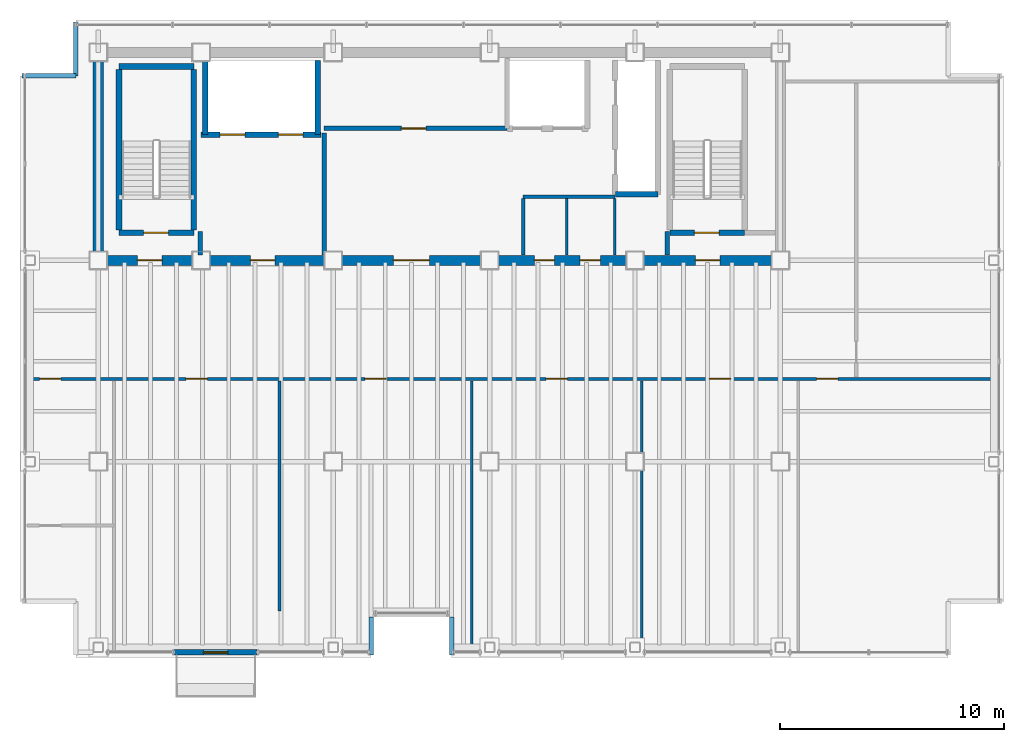
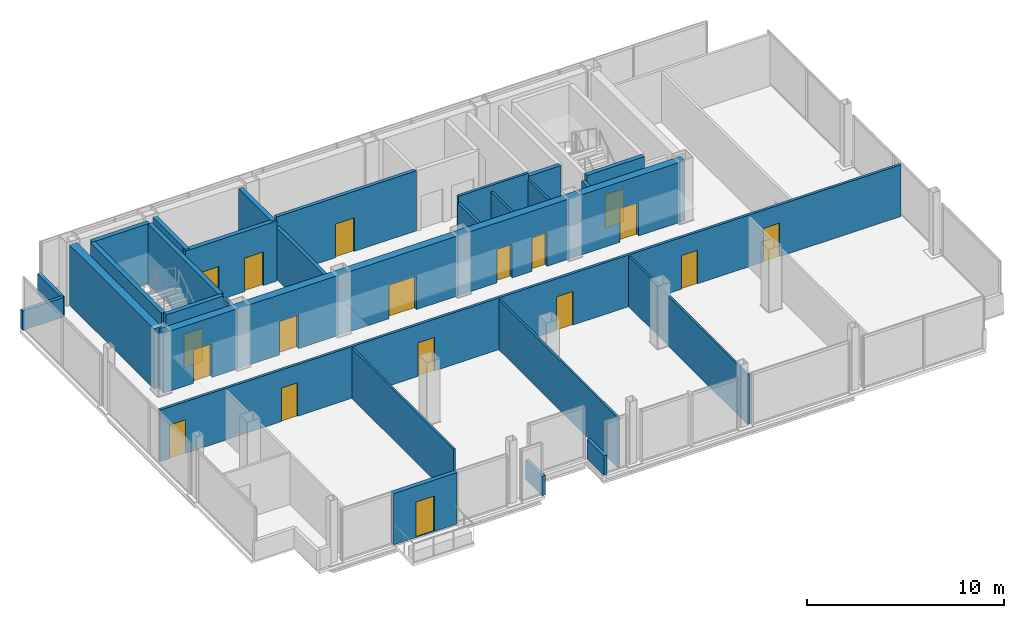
# One storey, part 13 of 15: 28 walls, 18 doors, 18 openings.
"""IFC4 building model written with IfcOpenShell, lengths in metres."""

from ifc_helpers import new_model, si_unit, direction, frame, frame_2d, origin, place, context, subcontext, project, spatial, rectangle, extrude, material, layer, layer_set, type_object, element, fill, save


model = new_model("IFC4")

# Units and contexts
model_context = context("Model", 3, precision=1e-05, world=origin(), true_north=direction((0.0, 1.0)))
body_context = subcontext(model_context, "Body", "Model", "MODEL_VIEW")
ifc_project = project(units=[si_unit("LENGTHUNIT", "METRE"), si_unit("AREAUNIT", "SQUARE_METRE"), si_unit("VOLUMEUNIT", "CUBIC_METRE"), si_unit("PLANEANGLEUNIT", "RADIAN"), si_unit("MASSUNIT", "GRAM", prefix="KILO")], contexts=[model_context])

# Site, building, storey
site_placement = place(None, origin())
site = spatial("IfcSite", under=ifc_project, at=site_placement, CompositionType="ELEMENT")
building_placement = place(site_placement, origin())
building = spatial("IfcBuilding", under=site, at=building_placement, Name="Noeulbin Bourse Tower", CompositionType="ELEMENT")
storey_placement = place(building_placement, frame((0.0, 0.0, 215.0)))
storey = spatial("IfcBuildingStorey", under=building, at=storey_placement, Name="L53", CompositionType="ELEMENT", Elevation=215.0)

# Wall, openings, doors
ifc_material_1 = material(Name="Concrete C50/60", Category="concrete")
ifc_layer_1 = layer(ifc_material_1, 0.449951171875)
ifc_layer_set_1 = layer_set([ifc_layer_1], Name="Concrete C50/60")
wall_type_1 = type_object("IfcWallType", Name="WAL-CORE-450", PredefinedType="SHEAR", material=ifc_layer_set_1)
wall_1_placement = place(storey_placement, frame((13.5, 29.0, 0.0), z_axis=(0.0, 0.0, 1.0), x_axis=(1.0, 0.0, 0.0)))
wall_1 = element("IfcWall", 1, at=wall_1_placement, inside=storey, type_object=wall_type_1, Name="Rear Core South Shear Wall L53", PredefinedType="SHEAR", context=body_context, shape_type="SweptSolid", body=[
    extrude(rectangle(XDim=30.5, YDim=0.449951171875, at=frame_2d((15.25, 0.0))), origin(), (0.0, 0.0, 1.0), 3.719970703125),
])
opening_1_placement = place(wall_1_placement, frame((1.75, 0.0, 0.0)))
opening_1 = element("IfcOpeningElement", 2, at=opening_1_placement, cuts=wall_1, Name="Opening FD-11", PredefinedType="OPENING", context=body_context, shape_type="SweptSolid", body=[
    extrude(rectangle(XDim=1.10009765625, YDim=2.080078125, at=frame_2d((0.550048828125, 1.0400390625))), frame((0.0, 0.23486328125, 0.0), z_axis=(0.0, -1.0, 0.0), x_axis=(1.0, 0.0, 0.0)), (0.0, 0.0, 1.0), 0.469970703125),
])
opening_2_placement = place(wall_1_placement, frame((26.699951171875, 0.0, 0.0)))
opening_2 = element("IfcOpeningElement", 3, at=opening_2_placement, cuts=wall_1, Name="Opening FD-11", PredefinedType="OPENING", context=body_context, shape_type="SweptSolid", body=[
    extrude(rectangle(XDim=1.10009765625, YDim=2.080078125, at=frame_2d((0.550048828125, 1.0400390625))), frame((0.0, 0.23486328125, 0.0), z_axis=(0.0, -1.0, 0.0), x_axis=(1.0, 0.0, 0.0)), (0.0, 0.0, 1.0), 0.469970703125),
])
opening_3_placement = place(wall_1_placement, frame((6.800048828125, 0.0, 0.0)))
opening_3 = element("IfcOpeningElement", 4, at=opening_3_placement, cuts=wall_1, Name="Opening FD-11", PredefinedType="OPENING", context=body_context, shape_type="SweptSolid", body=[
    extrude(rectangle(XDim=1.10009765625, YDim=2.080078125, at=frame_2d((0.550048828125, 1.0400390625))), frame((0.0, 0.23486328125, 0.0), z_axis=(0.0, -1.0, 0.0), x_axis=(1.0, 0.0, 0.0)), (0.0, 0.0, 1.0), 0.469970703125),
])
opening_4_placement = place(wall_1_placement, frame((13.199951171875, 0.0, 0.0)))
opening_4 = element("IfcOpeningElement", 5, at=opening_4_placement, cuts=wall_1, Name="Opening ID-16", PredefinedType="OPENING", context=body_context, shape_type="SweptSolid", body=[
    extrude(rectangle(XDim=1.60009765625, YDim=2.080078125, at=frame_2d((0.800048828125, 1.0400390625))), frame((0.0, 0.23486328125, 0.0), z_axis=(0.0, -1.0, 0.0), x_axis=(1.0, 0.0, 0.0)), (0.0, 0.0, 1.0), 0.469970703125),
])
opening_5_placement = place(wall_1_placement, frame((19.5, 0.0, 0.0)))
opening_5 = element("IfcOpeningElement", 6, at=opening_5_placement, cuts=wall_1, Name="Opening FD-09", PredefinedType="OPENING", context=body_context, shape_type="SweptSolid", body=[
    extrude(rectangle(XDim=0.89990234375, YDim=2.080078125, at=frame_2d((0.449951171875, 1.0400390625))), frame((0.0, 0.23486328125, 0.0), z_axis=(0.0, -1.0, 0.0), x_axis=(1.0, 0.0, 0.0)), (0.0, 0.0, 1.0), 0.469970703125),
])
opening_6_placement = place(wall_1_placement, frame((21.550048828125, 0.0, 0.0)))
opening_6 = element("IfcOpeningElement", 7, at=opening_6_placement, cuts=wall_1, Name="Opening FD-09", PredefinedType="OPENING", context=body_context, shape_type="SweptSolid", body=[
    extrude(rectangle(XDim=0.89990234375, YDim=2.080078125, at=frame_2d((0.449951171875, 1.0400390625))), frame((0.0, 0.23486328125, 0.0), z_axis=(0.0, -1.0, 0.0), x_axis=(1.0, 0.0, 0.0)), (0.0, 0.0, 1.0), 0.469970703125),
])
ifc_material_2 = material(Name="Acoustic Glazed Aluminium", Category="aluminium")
door_type_1 = type_object("IfcDoorType", Name="DR-DBL-1600", OperationType="DOUBLE_DOOR_SINGLE_SWING", PredefinedType="DOOR", material=ifc_material_2)
door_1_placement = place(opening_4_placement, origin())
door_1 = element("IfcDoor", 8, at=door_1_placement, inside=storey, type_object=door_type_1, Name="Passenger Lift Lobby Portal L53", OperationType="DOUBLE_DOOR_SINGLE_SWING", OverallHeight=2.080078125, OverallWidth=1.60009765625, PredefinedType="DOOR", context=body_context, shape_type="SweptSolid", body=[
    extrude(rectangle(XDim=1.60009765625, YDim=2.080078125, at=frame_2d((0.800048828125, 1.0400390625))), frame((0.0, 0.02490234375, 0.0), z_axis=(0.0, -1.0, 0.0), x_axis=(1.0, 0.0, 0.0)), (0.0, 0.0, 1.0), 0.050048828125),
])
fill(opening_4, door_1)
ifc_material_3 = material(Name="Fire-Rated Timber Core", Category="wood")
door_type_2 = type_object("IfcDoorType", Name="DR-FD30-900", OperationType="SINGLE_SWING_RIGHT", PredefinedType="DOOR", material=ifc_material_3)
door_2_placement = place(opening_5_placement, origin())
door_2 = element("IfcDoor", 9, at=door_2_placement, inside=storey, type_object=door_type_2, Name="Interior Door L53-06", OperationType="SINGLE_SWING_LEFT", OverallHeight=2.080078125, OverallWidth=0.89990234375, PredefinedType="DOOR", context=body_context, shape_type="SweptSolid", body=[
    extrude(rectangle(XDim=0.89990234375, YDim=2.080078125, at=frame_2d((0.449951171875, 1.0400390625))), frame((0.0, 0.02490234375, 0.0), z_axis=(0.0, -1.0, 0.0), x_axis=(1.0, 0.0, 0.0)), (0.0, 0.0, 1.0), 0.050048828125),
])
fill(opening_5, door_2)
door_3_placement = place(opening_6_placement, origin())
door_3 = element("IfcDoor", 10, at=door_3_placement, inside=storey, type_object=door_type_2, Name="Interior Door L53-07", OperationType="SINGLE_SWING_RIGHT", OverallHeight=2.080078125, OverallWidth=0.89990234375, PredefinedType="DOOR", context=body_context, shape_type="SweptSolid", body=[
    extrude(rectangle(XDim=0.89990234375, YDim=2.080078125, at=frame_2d((0.449951171875, 1.0400390625))), frame((0.0, 0.02490234375, 0.0), z_axis=(0.0, -1.0, 0.0), x_axis=(1.0, 0.0, 0.0)), (0.0, 0.0, 1.0), 0.050048828125),
])
fill(opening_6, door_3)
ifc_material_4 = material(Name="Fire-Rated Insulated Steel", Category="steel")
door_type_3 = type_object("IfcDoorType", Name="DR-FD60-1100", OperationType="SINGLE_SWING_LEFT", PredefinedType="DOOR", material=ifc_material_4)
door_4_placement = place(opening_1_placement, origin())
door_4 = element("IfcDoor", 11, at=door_4_placement, inside=storey, type_object=door_type_3, Name="West Stair Lobby Door L53", OperationType="SINGLE_SWING_RIGHT", OverallHeight=2.080078125, OverallWidth=1.10009765625, PredefinedType="DOOR", context=body_context, shape_type="SweptSolid", body=[
    extrude(rectangle(XDim=1.10009765625, YDim=2.080078125, at=frame_2d((0.550048828125, 1.0400390625))), frame((0.0, 0.02490234375, 0.0), z_axis=(0.0, -1.0, 0.0), x_axis=(1.0, 0.0, 0.0)), (0.0, 0.0, 1.0), 0.050048828125),
])
fill(opening_1, door_4)
door_5_placement = place(opening_2_placement, origin())
door_5 = element("IfcDoor", 12, at=door_5_placement, inside=storey, type_object=door_type_3, Name="East Stair Lobby Door L53", OperationType="SINGLE_SWING_LEFT", OverallHeight=2.080078125, OverallWidth=1.10009765625, PredefinedType="DOOR", context=body_context, shape_type="SweptSolid", body=[
    extrude(rectangle(XDim=1.10009765625, YDim=2.080078125, at=frame_2d((0.550048828125, 1.0400390625))), frame((0.0, 0.02490234375, 0.0), z_axis=(0.0, -1.0, 0.0), x_axis=(1.0, 0.0, 0.0)), (0.0, 0.0, 1.0), 0.050048828125),
])
fill(opening_2, door_5)
door_6_placement = place(opening_3_placement, origin())
door_6 = element("IfcDoor", 13, at=door_6_placement, inside=storey, type_object=door_type_3, Name="Firefighting Lobby Door L53", OperationType="SINGLE_SWING_RIGHT", OverallHeight=2.080078125, OverallWidth=1.10009765625, PredefinedType="DOOR", context=body_context, shape_type="SweptSolid", body=[
    extrude(rectangle(XDim=1.10009765625, YDim=2.080078125, at=frame_2d((0.550048828125, 1.0400390625))), frame((0.0, 0.02490234375, 0.0), z_axis=(0.0, -1.0, 0.0), x_axis=(1.0, 0.0, 0.0)), (0.0, 0.0, 1.0), 0.050048828125),
])
fill(opening_3, door_6)

# Wall
wall_2_placement = place(storey_placement, frame((13.5, 29.35009765625, 0.0), z_axis=(0.0, 0.0, 1.0), x_axis=(0.0, 1.0, 0.0)))
element("IfcWall", 14, at=wall_2_placement, inside=storey, type_object=wall_type_1, Name="Rear Core West Shear Wall L53", PredefinedType="SHEAR", context=body_context, shape_type="SweptSolid", body=[
    extrude(rectangle(XDim=8.599853515625, YDim=0.449951171875, at=frame_2d((4.2998046875, 0.0))), origin(), (0.0, 0.0, 1.0), 3.719970703125),
])

# Wall, opening, door
ifc_material_5 = material(Name="Precast Concrete C40/50", Category="concrete")
ifc_layer_2 = layer(ifc_material_5, 0.25)
ifc_layer_set_2 = layer_set([ifc_layer_2], Name="Precast Concrete C40/50")
wall_type_2 = type_object("IfcWallType", Name="WAL-EXT-250", PredefinedType="STANDARD", material=ifc_layer_set_2)
wall_3_placement = place(storey_placement, frame((16.89990234375, 11.469970703125, 0.0), z_axis=(0.0, 0.0, 1.0), x_axis=(1.0, 0.0, 0.0)))
wall_3 = element("IfcWall", 15, at=wall_3_placement, inside=storey, type_object=wall_type_2, Name="Balcony Threshold Wall L53", PredefinedType="STANDARD", context=body_context, shape_type="SweptSolid", body=[
    extrude(rectangle(XDim=3.7001953125, YDim=0.25, at=frame_2d((1.85009765625, 0.0))), origin(), (0.0, 0.0, 1.0), 3.179931640625),
])
opening_7_placement = place(wall_3_placement, frame((1.300048828125, 0.0, 0.0)))
opening_7 = element("IfcOpeningElement", 16, at=opening_7_placement, cuts=wall_3, Name="Opening BD-11", PredefinedType="OPENING", context=body_context, shape_type="SweptSolid", body=[
    extrude(rectangle(XDim=1.10009765625, YDim=2.199951171875, at=frame_2d((0.550048828125, 1.10009765625))), frame((0.0, 0.135009765625, 0.0), z_axis=(0.0, -1.0, 0.0), x_axis=(1.0, 0.0, 0.0)), (0.0, 0.0, 1.0), 0.27001953125),
])
ifc_material_6 = material(Name="Thermally Broken Aluminium Framed Glass", Category="aluminium")
door_type_4 = type_object("IfcDoorType", Name="DR-BAL-1100", OperationType="SINGLE_SWING_LEFT", PredefinedType="DOOR", material=ifc_material_6)
door_7_placement = place(opening_7_placement, origin())
door_7 = element("IfcDoor", 17, at=door_7_placement, inside=storey, type_object=door_type_4, Name="Tree-Balcony Access Door BD-L53", OperationType="SINGLE_SWING_LEFT", OverallHeight=2.199951171875, OverallWidth=1.10009765625, PredefinedType="DOOR", context=body_context, shape_type="SweptSolid", body=[
    extrude(rectangle(XDim=1.10009765625, YDim=2.199951171875, at=frame_2d((0.550048828125, 1.10009765625))), frame((0.0, 0.02490234375, 0.0), z_axis=(0.0, -1.0, 0.0), x_axis=(1.0, 0.0, 0.0)), (0.0, 0.0, 1.0), 0.050048828125),
])
fill(opening_7, door_7)

ifc_material_7 = material(Name="Concrete C40/50", Category="concrete")
ifc_layer_3 = layer(ifc_material_7, 0.199951171875)
ifc_layer_set_3 = layer_set([ifc_layer_3], Name="Concrete C40/50")
wall_type_3 = type_object("IfcWallType", Name="WAL-FIRE-200", PredefinedType="STANDARD", material=ifc_layer_set_3)
wall_4_placement = place(storey_placement, frame((23.60009765625, 34.89990234375, 0.0), z_axis=(0.0, 0.0, 1.0), x_axis=(1.0, 0.0, 0.0)))
wall_4 = element("IfcWall", 18, at=wall_4_placement, inside=storey, type_object=wall_type_3, Name="Interior Partition Wall L53-02", PredefinedType="STANDARD", context=body_context, shape_type="SweptSolid", body=[
    extrude(rectangle(XDim=8.179931640625, YDim=0.199951171875, at=frame_2d((4.08984375, 0.0))), origin(), (0.0, 0.0, 1.0), 3.719970703125),
])
opening_8_placement = place(wall_4_placement, frame((3.449951171875, 0.0, 0.0)))
opening_8 = element("IfcOpeningElement", 19, at=opening_8_placement, cuts=wall_4, Name="Opening FD-11", PredefinedType="OPENING", context=body_context, shape_type="SweptSolid", body=[
    extrude(rectangle(XDim=1.10009765625, YDim=2.080078125, at=frame_2d((0.550048828125, 1.0400390625))), frame((0.0, 0.10986328125, 0.0), z_axis=(0.0, -1.0, 0.0), x_axis=(1.0, 0.0, 0.0)), (0.0, 0.0, 1.0), 0.219970703125),
])
door_8_placement = place(opening_8_placement, origin())
door_8 = element("IfcDoor", 20, at=door_8_placement, inside=storey, type_object=door_type_3, Name="Telemetry Server Door L53", OperationType="SINGLE_SWING_RIGHT", OverallHeight=2.080078125, OverallWidth=1.10009765625, PredefinedType="DOOR", context=body_context, shape_type="SweptSolid", body=[
    extrude(rectangle(XDim=1.10009765625, YDim=2.080078125, at=frame_2d((0.550048828125, 1.0400390625))), frame((0.0, 0.02490234375, 0.0), z_axis=(0.0, -1.0, 0.0), x_axis=(1.0, 0.0, 0.0)), (0.0, 0.0, 1.0), 0.050048828125),
])
fill(opening_8, door_8)

# Walls
for number, where, z_axis, x_axis, name in (
    (21, (18.050048828125, 29.235107421875, 0.0), (0.0, 0.0, 1.0), (0.0, 1.0, 0.0), "Interior Partition Wall L53-07"),
    (22, (38.949951171875, 29.235107421875, 0.0), (0.0, 0.0, 1.0), (0.0, 1.0, 0.0), "Interior Partition Wall L53-08"),
):
    element("IfcWall", number, at=place(storey_placement, frame(where, z_axis=z_axis, x_axis=x_axis)), inside=storey, type_object=wall_type_3, Name=name, PredefinedType="STANDARD", context=body_context, shape_type="SweptSolid", body=[
        extrude(rectangle(XDim=1.06494140625, YDim=0.199951171875, at=frame_2d((0.532470703125, 0.0))), origin(), (0.0, 0.0, 1.0), 3.35009765625),
    ])
wall_5_placement = place(storey_placement, frame((23.60009765625, 29.235107421875, 0.0), z_axis=(0.0, 0.0, 1.0), x_axis=(0.0, 1.0, 0.0)))
element("IfcWall", 23, at=wall_5_placement, inside=storey, type_object=wall_type_3, Name="Interior Partition Wall L53-09", PredefinedType="STANDARD", context=body_context, shape_type="SweptSolid", body=[
    extrude(rectangle(XDim=5.46484375, YDim=0.199951171875, at=frame_2d((2.732421875, 0.0))), origin(), (0.0, 0.0, 1.0), 3.199951171875),
])
ifc_layer_4 = layer(ifc_material_7, 0.199951171875)
ifc_layer_set_4 = layer_set([ifc_layer_4], Name="Concrete C40/50")
wall_type_4 = type_object("IfcWallType", Name="WAL-PAR-200", PredefinedType="PARAPET", material=ifc_layer_set_4)
for number, where, z_axis, x_axis, name in (
    (24, (10.10009765625, 37.25, 0.0), (0.0, 0.0, 1.0), (1.0, 0.0, 0.0), "Corner Notch Parapet L53-NW1"),
    (25, (12.5, 37.25, 0.0), (0.0, 0.0, 1.0), (0.0, 1.0, 0.0), "Corner Notch Parapet L53-NW2"),
):
    element("IfcWall", number, at=place(storey_placement, frame(where, z_axis=z_axis, x_axis=x_axis)), inside=storey, type_object=wall_type_4, Name=name, PredefinedType="PARAPET", context=body_context, shape_type="SweptSolid", body=[
        extrude(rectangle(XDim=2.39990234375, YDim=0.199951171875, at=frame_2d((1.199951171875, 0.0))), origin(), (0.0, 0.0, 1.0), 1.199951171875),
    ])
for number, where, z_axis, x_axis, name in (
    (26, (25.699951171875, 11.35009765625, 0.0), (0.0, 0.0, 1.0), (0.0, 1.0, 0.0), "Sky-Garden Recess Parapet L53-W"),
    (27, (29.300048828125, 13.050048828125, 0.0), (0.0, 0.0, 1.0), (0.0, -1.0, 0.0), "Sky-Garden Recess Parapet L53-E"),
):
    element("IfcWall", number, at=place(storey_placement, frame(where, z_axis=z_axis, x_axis=x_axis)), inside=storey, type_object=wall_type_4, Name=name, PredefinedType="PARAPET", context=body_context, shape_type="SweptSolid", body=[
        extrude(rectangle(XDim=1.699951171875, YDim=0.199951171875, at=frame_2d((0.85009765625, 0.0))), origin(), (0.0, 0.0, 1.0), 1.199951171875),
    ])
ifc_material_8 = material(Name="Steel Stud Gypsum Partition", Category="steel")
ifc_layer_5 = layer(ifc_material_8, 0.1201171875)
ifc_layer_set_5 = layer_set([ifc_layer_5], Name="Steel Stud Gypsum Partition")
wall_type_5 = type_object("IfcWallType", Name="WAL-PRT-120", PredefinedType="PARTITIONING", material=ifc_layer_set_5)
for number, where, z_axis, x_axis, name in (
    (28, (36.60009765625, 29.235107421875, 0.0), (0.0, 0.0, 1.0), (0.0, 1.0, 0.0), "Interior Partition Wall L53-11"),
    (29, (34.449951171875, 29.235107421875, 0.0), (0.0, 0.0, 1.0), (0.0, 1.0, 0.0), "Interior Partition Wall L53-12"),
):
    element("IfcWall", number, at=place(storey_placement, frame(where, z_axis=z_axis, x_axis=x_axis)), inside=storey, type_object=wall_type_5, Name=name, PredefinedType="PARTITIONING", context=body_context, shape_type="SweptSolid", body=[
        extrude(rectangle(XDim=2.52978515625, YDim=0.1201171875, at=frame_2d((1.264892578125, 0.0))), origin(), (0.0, 0.0, 1.0), 3.35009765625),
    ])
wall_6_placement = place(storey_placement, frame((21.60009765625, 13.320068359375, 0.0), z_axis=(0.0, 0.0, 1.0), x_axis=(0.0, 1.0, 0.0)))
element("IfcWall", 30, at=wall_6_placement, inside=storey, type_object=wall_type_5, Name="Interior Partition Wall L53-15", PredefinedType="PARTITIONING", context=body_context, shape_type="SweptSolid", body=[
    extrude(rectangle(XDim=10.294921875, YDim=0.1201171875, at=frame_2d((5.1474609375, 0.0))), origin(), (0.0, 0.0, 1.0), 3.10009765625),
])
for number, where, z_axis, x_axis, name in (
    (31, (30.199951171875, 11.56005859375, 0.0), (0.0, 0.0, 1.0), (0.0, 1.0, 0.0), "Interior Partition Wall L53-16"),
    (32, (37.800048828125, 11.56005859375, 0.0), (0.0, 0.0, 1.0), (0.0, 1.0, 0.0), "Interior Partition Wall L53-17"),
):
    element("IfcWall", number, at=place(storey_placement, frame(where, z_axis=z_axis, x_axis=x_axis)), inside=storey, type_object=wall_type_5, Name=name, PredefinedType="PARTITIONING", context=body_context, shape_type="SweptSolid", body=[
        extrude(rectangle(XDim=12.054931640625, YDim=0.1201171875, at=frame_2d((6.02734375, 0.0))), origin(), (0.0, 0.0, 1.0), 3.10009765625),
    ])
ifc_material_9 = material(Name="Steel Stud Acoustic Gypsum Board", Category="steel")
ifc_layer_6 = layer(ifc_material_9, 0.14990234375)
ifc_layer_set_6 = layer_set([ifc_layer_6], Name="Steel Stud Acoustic Gypsum Board")
wall_type_6 = type_object("IfcWallType", Name="WAL-PRT-150", PredefinedType="PARTITIONING", material=ifc_layer_set_6)
wall_7_placement = place(storey_placement, frame((32.5, 31.85009765625, 0.0), z_axis=(0.0, 0.0, 1.0), x_axis=(1.0, 0.0, 0.0)))
element("IfcWall", 33, at=wall_7_placement, inside=storey, type_object=wall_type_6, Name="Interior Partition Wall L53-03", PredefinedType="PARTITIONING", context=body_context, shape_type="SweptSolid", body=[
    extrude(rectangle(XDim=4.10009765625, YDim=0.14990234375, at=frame_2d((2.050048828125, 0.0))), origin(), (0.0, 0.0, 1.0), 3.719970703125),
])

# Wall, openings, doors
wall_8_placement = place(storey_placement, frame((10.31005859375, 23.699951171875, 0.0), z_axis=(0.0, 0.0, 1.0), x_axis=(1.0, 0.0, 0.0)))
wall_8 = element("IfcWall", 34, at=wall_8_placement, inside=storey, type_object=wall_type_6, Name="Interior Partition Wall L53-04", PredefinedType="PARTITIONING", context=body_context, shape_type="SweptSolid", body=[
    extrude(rectangle(XDim=43.3798828125, YDim=0.14990234375, at=frame_2d((21.68994140625, 0.0))), origin(), (0.0, 0.0, 1.0), 3.199951171875),
])
opening_9_placement = place(wall_8_placement, frame((0.570068359375, 0.0, 0.0)))
opening_9 = element("IfcOpeningElement", 35, at=opening_9_placement, cuts=wall_8, Name="Opening ID-09", PredefinedType="OPENING", context=body_context, shape_type="SweptSolid", body=[
    extrude(rectangle(XDim=0.949951171875, YDim=2.080078125, at=frame_2d((0.47509765625, 1.0400390625))), frame((0.0, 0.0849609375, 0.0), z_axis=(0.0, -1.0, 0.0), x_axis=(1.0, 0.0, 0.0)), (0.0, 0.0, 1.0), 0.169921875),
])
opening_10_placement = place(wall_8_placement, frame((7.114990234375, 0.0, 0.0)))
opening_10 = element("IfcOpeningElement", 36, at=opening_10_placement, cuts=wall_8, Name="Opening ID-09", PredefinedType="OPENING", context=body_context, shape_type="SweptSolid", body=[
    extrude(rectangle(XDim=0.949951171875, YDim=2.080078125, at=frame_2d((0.47509765625, 1.0400390625))), frame((0.0, 0.0849609375, 0.0), z_axis=(0.0, -1.0, 0.0), x_axis=(1.0, 0.0, 0.0)), (0.0, 0.0, 1.0), 0.169921875),
])
opening_11_placement = place(wall_8_placement, frame((15.114990234375, 0.0, 0.0)))
opening_11 = element("IfcOpeningElement", 37, at=opening_11_placement, cuts=wall_8, Name="Opening ID-09", PredefinedType="OPENING", context=body_context, shape_type="SweptSolid", body=[
    extrude(rectangle(XDim=0.949951171875, YDim=2.080078125, at=frame_2d((0.47509765625, 1.0400390625))), frame((0.0, 0.0849609375, 0.0), z_axis=(0.0, -1.0, 0.0), x_axis=(1.0, 0.0, 0.0)), (0.0, 0.0, 1.0), 0.169921875),
])
opening_12_placement = place(wall_8_placement, frame((23.215087890625, 0.0, 0.0)))
opening_12 = element("IfcOpeningElement", 38, at=opening_12_placement, cuts=wall_8, Name="Opening ID-09", PredefinedType="OPENING", context=body_context, shape_type="SweptSolid", body=[
    extrude(rectangle(XDim=0.949951171875, YDim=2.080078125, at=frame_2d((0.47509765625, 1.0400390625))), frame((0.0, 0.0849609375, 0.0), z_axis=(0.0, -1.0, 0.0), x_axis=(1.0, 0.0, 0.0)), (0.0, 0.0, 1.0), 0.169921875),
])
opening_13_placement = place(wall_8_placement, frame((30.514892578125, 0.0, 0.0)))
opening_13 = element("IfcOpeningElement", 39, at=opening_13_placement, cuts=wall_8, Name="Opening ID-09", PredefinedType="OPENING", context=body_context, shape_type="SweptSolid", body=[
    extrude(rectangle(XDim=0.949951171875, YDim=2.080078125, at=frame_2d((0.47509765625, 1.0400390625))), frame((0.0, 0.0849609375, 0.0), z_axis=(0.0, -1.0, 0.0), x_axis=(1.0, 0.0, 0.0)), (0.0, 0.0, 1.0), 0.169921875),
])
opening_14_placement = place(wall_8_placement, frame((35.31494140625, 0.0, 0.0)))
opening_14 = element("IfcOpeningElement", 40, at=opening_14_placement, cuts=wall_8, Name="Opening ID-09", PredefinedType="OPENING", context=body_context, shape_type="SweptSolid", body=[
    extrude(rectangle(XDim=0.949951171875, YDim=2.080078125, at=frame_2d((0.47509765625, 1.0400390625))), frame((0.0, 0.0849609375, 0.0), z_axis=(0.0, -1.0, 0.0), x_axis=(1.0, 0.0, 0.0)), (0.0, 0.0, 1.0), 0.169921875),
])
ifc_material_10 = material(Name="Acoustic Solid-Core Timber", Category="wood")
door_type_5 = type_object("IfcDoorType", Name="DR-SINGLE-950", OperationType="SINGLE_SWING_LEFT", PredefinedType="DOOR", material=ifc_material_10)
door_9_placement = place(opening_9_placement, origin())
door_9 = element("IfcDoor", 41, at=door_9_placement, inside=storey, type_object=door_type_5, Name="Interior Door L53-09", OperationType="SINGLE_SWING_RIGHT", OverallHeight=2.080078125, OverallWidth=0.949951171875, PredefinedType="DOOR", context=body_context, shape_type="SweptSolid", body=[
    extrude(rectangle(XDim=0.949951171875, YDim=2.080078125, at=frame_2d((0.47509765625, 1.0400390625))), frame((0.0, 0.02490234375, 0.0), z_axis=(0.0, -1.0, 0.0), x_axis=(1.0, 0.0, 0.0)), (0.0, 0.0, 1.0), 0.050048828125),
])
fill(opening_9, door_9)
door_10_placement = place(opening_10_placement, origin())
door_10 = element("IfcDoor", 42, at=door_10_placement, inside=storey, type_object=door_type_5, Name="Interior Door L53-10", OperationType="SINGLE_SWING_LEFT", OverallHeight=2.080078125, OverallWidth=0.949951171875, PredefinedType="DOOR", context=body_context, shape_type="SweptSolid", body=[
    extrude(rectangle(XDim=0.949951171875, YDim=2.080078125, at=frame_2d((0.47509765625, 1.0400390625))), frame((0.0, 0.02490234375, 0.0), z_axis=(0.0, -1.0, 0.0), x_axis=(1.0, 0.0, 0.0)), (0.0, 0.0, 1.0), 0.050048828125),
])
fill(opening_10, door_10)
door_11_placement = place(opening_11_placement, origin())
door_11 = element("IfcDoor", 43, at=door_11_placement, inside=storey, type_object=door_type_5, Name="Interior Door L53-11", OperationType="SINGLE_SWING_RIGHT", OverallHeight=2.080078125, OverallWidth=0.949951171875, PredefinedType="DOOR", context=body_context, shape_type="SweptSolid", body=[
    extrude(rectangle(XDim=0.949951171875, YDim=2.080078125, at=frame_2d((0.47509765625, 1.0400390625))), frame((0.0, 0.02490234375, 0.0), z_axis=(0.0, -1.0, 0.0), x_axis=(1.0, 0.0, 0.0)), (0.0, 0.0, 1.0), 0.050048828125),
])
fill(opening_11, door_11)
door_12_placement = place(opening_12_placement, origin())
door_12 = element("IfcDoor", 44, at=door_12_placement, inside=storey, type_object=door_type_5, Name="Interior Door L53-12", OperationType="SINGLE_SWING_LEFT", OverallHeight=2.080078125, OverallWidth=0.949951171875, PredefinedType="DOOR", context=body_context, shape_type="SweptSolid", body=[
    extrude(rectangle(XDim=0.949951171875, YDim=2.080078125, at=frame_2d((0.47509765625, 1.0400390625))), frame((0.0, 0.02490234375, 0.0), z_axis=(0.0, -1.0, 0.0), x_axis=(1.0, 0.0, 0.0)), (0.0, 0.0, 1.0), 0.050048828125),
])
fill(opening_12, door_12)
door_13_placement = place(opening_13_placement, origin())
door_13 = element("IfcDoor", 45, at=door_13_placement, inside=storey, type_object=door_type_5, Name="Interior Door L53-13", OperationType="SINGLE_SWING_RIGHT", OverallHeight=2.080078125, OverallWidth=0.949951171875, PredefinedType="DOOR", context=body_context, shape_type="SweptSolid", body=[
    extrude(rectangle(XDim=0.949951171875, YDim=2.080078125, at=frame_2d((0.47509765625, 1.0400390625))), frame((0.0, 0.02490234375, 0.0), z_axis=(0.0, -1.0, 0.0), x_axis=(1.0, 0.0, 0.0)), (0.0, 0.0, 1.0), 0.050048828125),
])
fill(opening_13, door_13)
door_14_placement = place(opening_14_placement, origin())
door_14 = element("IfcDoor", 46, at=door_14_placement, inside=storey, type_object=door_type_5, Name="Interior Door L53-14", OperationType="SINGLE_SWING_LEFT", OverallHeight=2.080078125, OverallWidth=0.949951171875, PredefinedType="DOOR", context=body_context, shape_type="SweptSolid", body=[
    extrude(rectangle(XDim=0.949951171875, YDim=2.080078125, at=frame_2d((0.47509765625, 1.0400390625))), frame((0.0, 0.02490234375, 0.0), z_axis=(0.0, -1.0, 0.0), x_axis=(1.0, 0.0, 0.0)), (0.0, 0.0, 1.0), 0.050048828125),
])
fill(opening_14, door_14)

# Wall
wall_9_placement = place(storey_placement, frame((32.5, 29.235107421875, 0.0), z_axis=(0.0, 0.0, 1.0), x_axis=(0.0, 1.0, 0.0)))
element("IfcWall", 47, at=wall_9_placement, inside=storey, type_object=wall_type_6, Name="Interior Partition Wall L53-10", PredefinedType="PARTITIONING", context=body_context, shape_type="SweptSolid", body=[
    extrude(rectangle(XDim=2.52978515625, YDim=0.14990234375, at=frame_2d((1.264892578125, 0.0))), origin(), (0.0, 0.0, 1.0), 3.35009765625),
])

# Wall, opening, door
ifc_layer_7 = layer(ifc_material_7, 0.25)
ifc_layer_set_7 = layer_set([ifc_layer_7], Name="Concrete C40/50")
wall_type_7 = type_object("IfcWallType", Name="WAL-SHFT-250", PredefinedType="STANDARD", material=ifc_layer_set_7)
wall_10_placement = place(storey_placement, frame((14.429931640625, 30.235107421875, 0.0), z_axis=(0.0, 0.0, 1.0), x_axis=(1.0, 0.0, 0.0)))
wall_10 = element("IfcWall", 48, at=wall_10_placement, inside=storey, type_object=wall_type_7, Name="Stair ST-1 South Shaft Wall L53", PredefinedType="STANDARD", context=body_context, shape_type="SweptSolid", body=[
    extrude(rectangle(XDim=3.340087890625, YDim=0.25, at=frame_2d((1.669921875, 0.0))), origin(), (0.0, 0.0, 1.0), 3.719970703125),
])
opening_15_placement = place(wall_10_placement, frame((1.10009765625, 0.0, 0.0)))
opening_15 = element("IfcOpeningElement", 49, at=opening_15_placement, cuts=wall_10, Name="Opening FD-11", PredefinedType="OPENING", context=body_context, shape_type="SweptSolid", body=[
    extrude(rectangle(XDim=1.10009765625, YDim=2.080078125, at=frame_2d((0.550048828125, 1.0400390625))), frame((0.0, 0.135009765625, 0.0), z_axis=(0.0, -1.0, 0.0), x_axis=(1.0, 0.0, 0.0)), (0.0, 0.0, 1.0), 0.27001953125),
])
door_15_placement = place(opening_15_placement, origin())
door_15 = element("IfcDoor", 50, at=door_15_placement, inside=storey, type_object=door_type_3, Name="Protected Stair Entry Door ST1-L53", OperationType="SINGLE_SWING_RIGHT", OverallHeight=2.080078125, OverallWidth=1.10009765625, PredefinedType="DOOR", context=body_context, shape_type="SweptSolid", body=[
    extrude(rectangle(XDim=1.10009765625, YDim=2.080078125, at=frame_2d((0.550048828125, 1.0400390625))), frame((0.0, 0.02490234375, 0.0), z_axis=(0.0, -1.0, 0.0), x_axis=(1.0, 0.0, 0.0)), (0.0, 0.0, 1.0), 0.050048828125),
])
fill(opening_15, door_15)

# Walls
wall_11_placement = place(storey_placement, frame((14.429931640625, 37.6689453125, 0.0), z_axis=(0.0, 0.0, 1.0), x_axis=(1.0, 0.0, 0.0)))
element("IfcWall", 51, at=wall_11_placement, inside=storey, type_object=wall_type_7, Name="Stair ST-1 North Shaft Wall L53", PredefinedType="STANDARD", context=body_context, shape_type="SweptSolid", body=[
    extrude(rectangle(XDim=3.340087890625, YDim=0.25, at=frame_2d((1.669921875, 0.0))), origin(), (0.0, 0.0, 1.0), 3.719970703125),
])
for number, where, z_axis, x_axis, name in (
    (52, (14.425048828125, 30.360107421875, 0.0), (0.0, 0.0, 1.0), (0.0, 1.0, 0.0), "Stair ST-1 West Shaft Wall L53"),
    (53, (17.77490234375, 30.360107421875, 0.0), (0.0, 0.0, 1.0), (0.0, 1.0, 0.0), "Stair ST-1 East Shaft Wall L53"),
):
    element("IfcWall", number, at=place(storey_placement, frame(where, z_axis=z_axis, x_axis=x_axis)), inside=storey, type_object=wall_type_7, Name=name, PredefinedType="STANDARD", context=body_context, shape_type="SweptSolid", body=[
        extrude(rectangle(XDim=7.183837890625, YDim=0.25, at=frame_2d((3.591796875, 0.0))), origin(), (0.0, 0.0, 1.0), 3.719970703125),
    ])

# Wall, opening, door
wall_12_placement = place(storey_placement, frame((39.06005859375, 30.235107421875, 0.0), z_axis=(0.0, 0.0, 1.0), x_axis=(1.0, 0.0, 0.0)))
wall_12 = element("IfcWall", 54, at=wall_12_placement, inside=storey, type_object=wall_type_7, Name="Stair ST-2 South Shaft Wall L53", PredefinedType="STANDARD", context=body_context, shape_type="SweptSolid", body=[
    extrude(rectangle(XDim=3.33984375, YDim=0.25, at=frame_2d((1.669921875, 0.0))), origin(), (0.0, 0.0, 1.0), 3.719970703125),
])
opening_16_placement = place(wall_12_placement, frame((1.10009765625, 0.0, 0.0)))
opening_16 = element("IfcOpeningElement", 55, at=opening_16_placement, cuts=wall_12, Name="Opening FD-11", PredefinedType="OPENING", context=body_context, shape_type="SweptSolid", body=[
    extrude(rectangle(XDim=1.10009765625, YDim=2.080078125, at=frame_2d((0.550048828125, 1.0400390625))), frame((0.0, 0.135009765625, 0.0), z_axis=(0.0, -1.0, 0.0), x_axis=(1.0, 0.0, 0.0)), (0.0, 0.0, 1.0), 0.27001953125),
])
door_16_placement = place(opening_16_placement, origin())
door_16 = element("IfcDoor", 56, at=door_16_placement, inside=storey, type_object=door_type_3, Name="Protected Stair Entry Door ST2-L53", OperationType="SINGLE_SWING_LEFT", OverallHeight=2.080078125, OverallWidth=1.10009765625, PredefinedType="DOOR", context=body_context, shape_type="SweptSolid", body=[
    extrude(rectangle(XDim=1.10009765625, YDim=2.080078125, at=frame_2d((0.550048828125, 1.0400390625))), frame((0.0, 0.02490234375, 0.0), z_axis=(0.0, -1.0, 0.0), x_axis=(1.0, 0.0, 0.0)), (0.0, 0.0, 1.0), 0.050048828125),
])
fill(opening_16, door_16)

# Wall, openings, doors
wall_13_placement = place(storey_placement, frame((18.10009765625, 34.6201171875, 0.0), z_axis=(0.0, 0.0, 1.0), x_axis=(1.0, 0.0, 0.0)))
wall_13 = element("IfcWall", 57, at=wall_13_placement, inside=storey, type_object=wall_type_7, Name="Firefighting Lift Shaft Front L53", PredefinedType="STANDARD", context=body_context, shape_type="SweptSolid", body=[
    extrude(rectangle(XDim=5.349853515625, YDim=0.25, at=frame_2d((2.6748046875, 0.0))), origin(), (0.0, 0.0, 1.0), 3.719970703125),
])
opening_17_placement = place(wall_13_placement, frame((0.85009765625, 0.0, 0.0)))
opening_17 = element("IfcOpeningElement", 58, at=opening_17_placement, cuts=wall_13, Name="Opening LD-11", PredefinedType="OPENING", context=body_context, shape_type="SweptSolid", body=[
    extrude(rectangle(XDim=1.10009765625, YDim=2.080078125, at=frame_2d((0.550048828125, 1.0400390625))), frame((0.0, 0.135009765625, 0.0), z_axis=(0.0, -1.0, 0.0), x_axis=(1.0, 0.0, 0.0)), (0.0, 0.0, 1.0), 0.27001953125),
])
opening_18_placement = place(wall_13_placement, frame((3.449951171875, 0.0, 0.0)))
opening_18 = element("IfcOpeningElement", 59, at=opening_18_placement, cuts=wall_13, Name="Opening LD-11", PredefinedType="OPENING", context=body_context, shape_type="SweptSolid", body=[
    extrude(rectangle(XDim=1.10009765625, YDim=2.080078125, at=frame_2d((0.550048828125, 1.0400390625))), frame((0.0, 0.135009765625, 0.0), z_axis=(0.0, -1.0, 0.0), x_axis=(1.0, 0.0, 0.0)), (0.0, 0.0, 1.0), 0.27001953125),
])
ifc_material_11 = material(Name="Brushed Stainless Steel 316", Category="steel")
door_type_6 = type_object("IfcDoorType", Name="DR-LIFT-1100", OperationType="SLIDING_TO_LEFT", PredefinedType="DOOR", material=ifc_material_11)
door_17_placement = place(opening_17_placement, origin())
door_17 = element("IfcDoor", 60, at=door_17_placement, inside=storey, type_object=door_type_6, Name="Lift Landing Door LD-FL-01-L53", OperationType="SLIDING_TO_LEFT", OverallHeight=2.080078125, OverallWidth=1.10009765625, PredefinedType="DOOR", context=body_context, shape_type="SweptSolid", body=[
    extrude(rectangle(XDim=1.10009765625, YDim=2.080078125, at=frame_2d((0.550048828125, 1.0400390625))), frame((0.0, 0.02490234375, 0.0), z_axis=(0.0, -1.0, 0.0), x_axis=(1.0, 0.0, 0.0)), (0.0, 0.0, 1.0), 0.050048828125),
])
fill(opening_17, door_17)
door_18_placement = place(opening_18_placement, origin())
door_18 = element("IfcDoor", 61, at=door_18_placement, inside=storey, type_object=door_type_6, Name="Lift Landing Door LD-FL-02-L53", OperationType="SLIDING_TO_LEFT", OverallHeight=2.080078125, OverallWidth=1.10009765625, PredefinedType="DOOR", context=body_context, shape_type="SweptSolid", body=[
    extrude(rectangle(XDim=1.10009765625, YDim=2.080078125, at=frame_2d((0.550048828125, 1.0400390625))), frame((0.0, 0.02490234375, 0.0), z_axis=(0.0, -1.0, 0.0), x_axis=(1.0, 0.0, 0.0)), (0.0, 0.0, 1.0), 0.050048828125),
])
fill(opening_18, door_18)

# Walls
wall_14_placement = place(storey_placement, frame((36.6201171875, 31.949951171875, 0.0), z_axis=(0.0, 0.0, 1.0), x_axis=(1.0, 0.0, 0.0)))
element("IfcWall", 62, at=wall_14_placement, inside=storey, type_object=wall_type_7, Name="Service Lift South Shaft Wall L53", PredefinedType="STANDARD", context=body_context, shape_type="SweptSolid", body=[
    extrude(rectangle(XDim=1.89990234375, YDim=0.25, at=frame_2d((0.949951171875, 0.0))), origin(), (0.0, 0.0, 1.0), 3.47998046875),
])
for number, where, z_axis, x_axis, name in (
    (63, (18.280029296875, 34.6201171875, 0.0), (0.0, 0.0, 1.0), (0.0, 1.0, 0.0), "Firefighting Lift West Shaft Wall L53"),
    (64, (23.320068359375, 34.6201171875, 0.0), (0.0, 0.0, 1.0), (0.0, 1.0, 0.0), "Firefighting Lift East Shaft Wall L53"),
):
    element("IfcWall", number, at=place(storey_placement, frame(where, z_axis=z_axis, x_axis=x_axis)), inside=storey, type_object=wall_type_7, Name=name, PredefinedType="STANDARD", context=body_context, shape_type="SweptSolid", body=[
        extrude(rectangle(XDim=3.329833984375, YDim=0.25, at=frame_2d((1.6650390625, 0.0))), origin(), (0.0, 0.0, 1.0), 3.719970703125),
    ])

save(model, "model.ifc")
